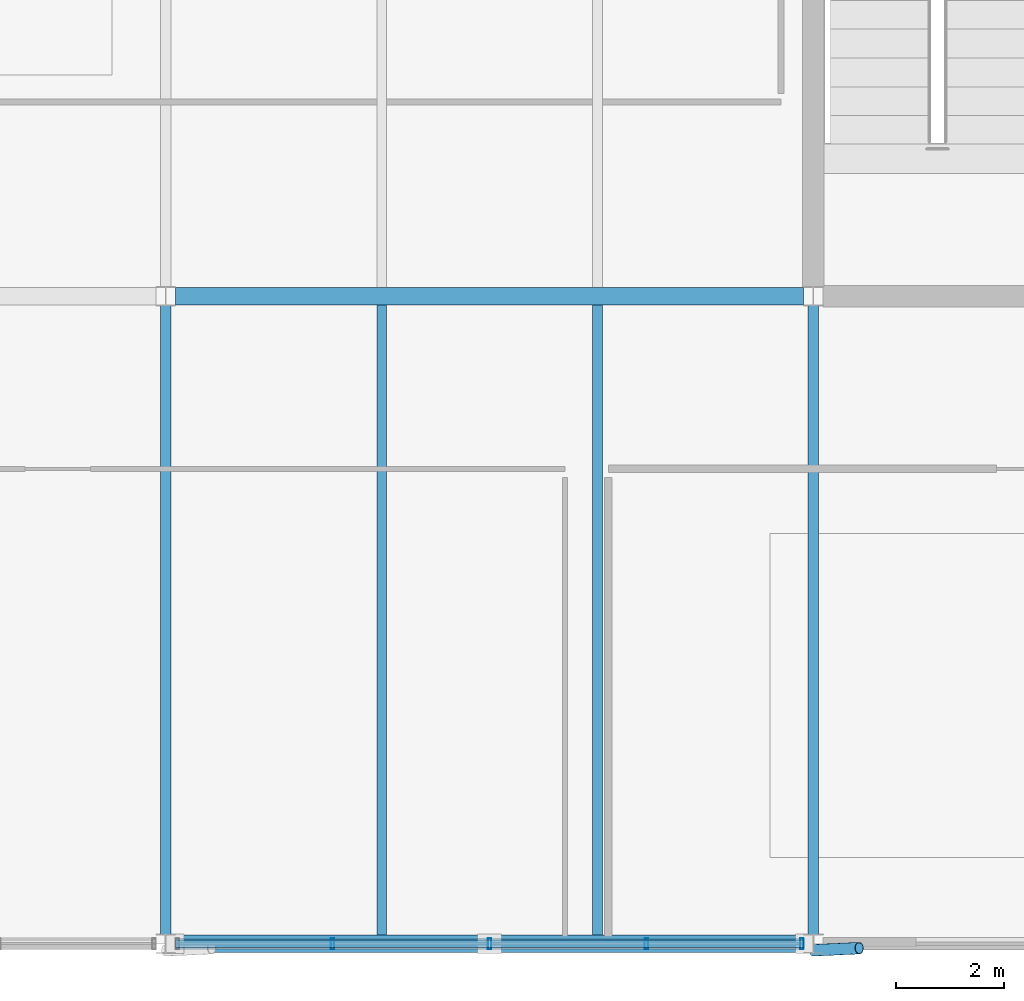
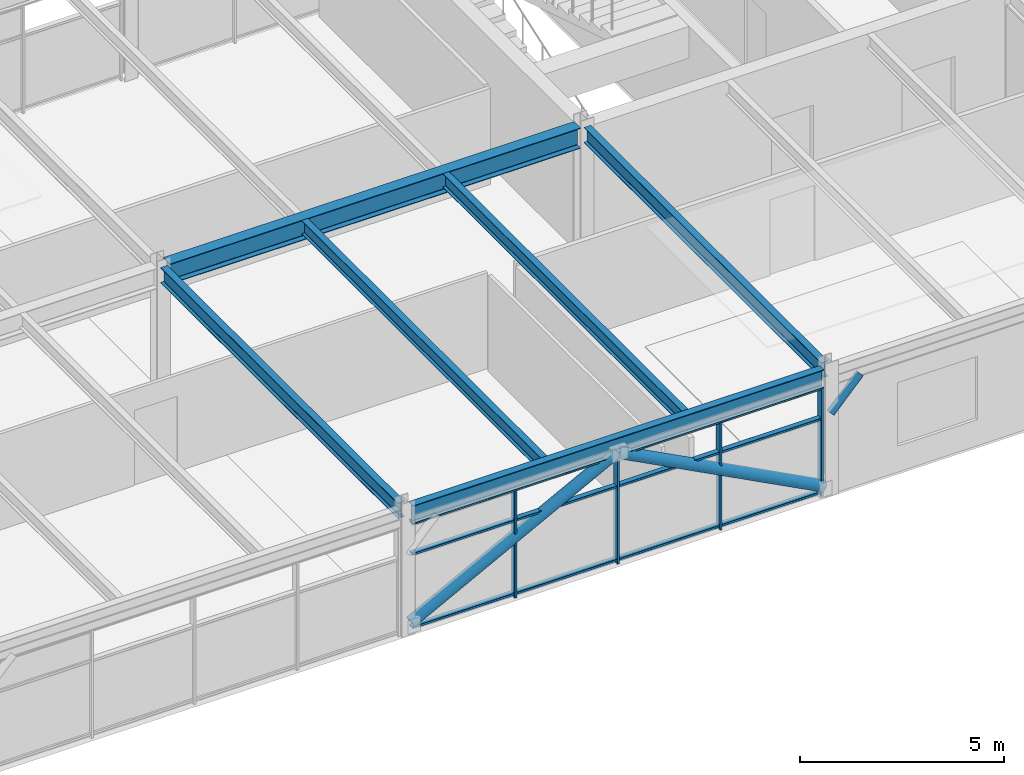
# One storey, part 13 of 23: 10 members, 6 beams, 1 element without a shape of its own.
"""IFC4 building model written with IfcOpenShell, lengths in metres."""

from ifc_helpers import new_model, si_unit, direction, frame, origin, origin_2d, place, context, subcontext, project, spatial, hollow_rectangle, hollow_circle, i_section, extrude, material, material_profile, profile_set, type_object, element, aggregate, save


model = new_model("IFC4")

# Units and contexts
model_context = context("Model", 3, precision=1e-05, world=origin(), true_north=direction((0.0, 1.0)))
body_context = subcontext(model_context, "Body", "Model", "MODEL_VIEW")
ifc_project = project(units=[si_unit("LENGTHUNIT", "METRE"), si_unit("AREAUNIT", "SQUARE_METRE"), si_unit("VOLUMEUNIT", "CUBIC_METRE"), si_unit("PLANEANGLEUNIT", "RADIAN"), si_unit("MASSUNIT", "GRAM", prefix="KILO")], contexts=[model_context])

# Site, building, storey
site_placement = place(None, origin())
site = spatial("IfcSite", under=ifc_project, at=site_placement, CompositionType="ELEMENT")
building_placement = place(site_placement, origin())
building = spatial("IfcBuilding", under=site, at=building_placement, Name="Girod Span Mobility Hub", CompositionType="ELEMENT")
storey_placement = place(building_placement, frame((0.0, 0.0, 65.60009765625)))
storey = spatial("IfcBuildingStorey", under=building, at=storey_placement, Name="L16", CompositionType="ELEMENT", Elevation=65.60009765625)

# Beams
ifc_material_1 = material(Name="Steel A992 Grade 50", Category="steel")
ifc_material_profile_1 = material_profile(ifc_material_1, i_section(OverallWidth=0.178955078125, OverallDepth=0.409912109375, WebThickness=0.0087890625, FlangeThickness=0.014404296875, FilletRadius=0.012939453125, at=origin_2d()), Name="W16X45")
ifc_profile_set_1 = profile_set([ifc_material_profile_1], Name="Steel A992 Grade 50")
beam_type_1 = type_object("IfcBeamType", Name="BM-STL-W16X45", PredefinedType="BEAM", material=ifc_profile_set_1)
for number, where, z_axis, x_axis, name in (
    (1, (100.0, 45.10302734375, 3.5849609375), (0.0, 1.0, 0.0), (-1.0, 0.0, 0.0), "Composite Floorbeam 9/D-1 L16"),
    (2, (104.0, 45.10302734375, 3.5849609375), (0.0, 1.0, 0.0), (-1.0, 0.0, 0.0), "Composite Floorbeam 9/D-2 L16"),
):
    element("IfcBeam", number, at=place(storey_placement, frame(where, z_axis=z_axis, x_axis=x_axis)), inside=storey, type_object=beam_type_1, Name=name, PredefinedType="BEAM", context=body_context, shape_type="SweptSolid", body=[
        extrude(i_section(OverallWidth=0.178955078125, OverallDepth=0.409912109375, WebThickness=0.0087890625, FlangeThickness=0.014404296875, FilletRadius=0.012939453125, at=origin_2d()), origin(), (0.0, 0.0, 1.0), 11.738037109375),
    ])
ifc_material_2 = material(Name="Steel A992 Grade 50", Category="steel")
ifc_material_profile_2 = material_profile(ifc_material_2, i_section(OverallWidth=0.19189453125, OverallDepth=0.462890625, WebThickness=0.010498046875, FlangeThickness=0.017578125, FilletRadius=0.013916015625, at=origin_2d()), Name="W18X60")
ifc_profile_set_2 = profile_set([ifc_material_profile_2], Name="Steel A992 Grade 50")
beam_type_2 = type_object("IfcBeamType", Name="BM-STL-W18X60", PredefinedType="BEAM", material=ifc_profile_set_2)
for number, where, z_axis, x_axis, name in (
    (3, (96.0, 45.175048828125, 3.558349609375), (0.0, 1.0, 0.0), (-1.0, 0.0, 0.0), "Tie Girder 9/D-E L16"),
    (4, (108.0, 45.175048828125, 3.558349609375), (0.0, 1.0, 0.0), (-1.0, 0.0, 0.0), "Tie Girder 10/D-E L16"),
):
    element("IfcBeam", number, at=place(storey_placement, frame(where, z_axis=z_axis, x_axis=x_axis)), inside=storey, type_object=beam_type_2, Name=name, PredefinedType="BEAM", context=body_context, shape_type="SweptSolid", body=[
        extrude(i_section(OverallWidth=0.19189453125, OverallDepth=0.462890625, WebThickness=0.010498046875, FlangeThickness=0.017578125, FilletRadius=0.013916015625, at=origin_2d()), origin(), (0.0, 0.0, 1.0), 11.64990234375),
    ])
ifc_material_3 = material(Name="Steel A992 Grade 50", Category="steel")
ifc_material_profile_3 = material_profile(ifc_material_3, i_section(OverallWidth=0.2119140625, OverallDepth=0.5439453125, WebThickness=0.01318359375, FlangeThickness=0.021240234375, FilletRadius=0.014892578125, at=origin_2d()), Name="W21X83")
ifc_profile_set_3 = profile_set([ifc_material_profile_3], Name="Steel A992 Grade 50")
beam_type_3 = type_object("IfcBeamType", Name="BM-STL-W21X83", PredefinedType="SPANDREL", material=ifc_profile_set_3)
beam_1_placement = place(storey_placement, frame((96.181396484375, 45.0, 3.517822265625), z_axis=(1.0, 0.0, 0.0), x_axis=(0.0, 1.0, 0.0)))
element("IfcBeam", 5, at=beam_1_placement, inside=storey, type_object=beam_type_3, Name="Girder 9-10/D L16", PredefinedType="SPANDREL", context=body_context, shape_type="SweptSolid", body=[
    extrude(i_section(OverallWidth=0.2119140625, OverallDepth=0.5439453125, WebThickness=0.01318359375, FlangeThickness=0.021240234375, FilletRadius=0.014892578125, at=origin_2d()), origin(), (0.0, 0.0, 1.0), 11.63720703125),
])
ifc_material_4 = material(Name="Steel A992 Grade 50", Category="steel")
ifc_material_profile_4 = material_profile(ifc_material_4, i_section(OverallWidth=0.323974609375, OverallDepth=0.611083984375, WebThickness=0.0126953125, FlangeThickness=0.01904296875, FilletRadius=0.014892578125, at=origin_2d()), Name="W24X104")
ifc_profile_set_4 = profile_set([ifc_material_profile_4], Name="Steel A992 Grade 50")
beam_type_4 = type_object("IfcBeamType", Name="BM-STL-W24X104", PredefinedType="BEAM", material=ifc_profile_set_4)
beam_2_placement = place(storey_placement, frame((96.181396484375, 57.0, 3.484375), z_axis=(1.0, 0.0, 0.0), x_axis=(0.0, 1.0, 0.0)))
element("IfcBeam", 6, at=beam_2_placement, inside=storey, type_object=beam_type_4, Name="Girder 9-10/E L16", PredefinedType="BEAM", context=body_context, shape_type="SweptSolid", body=[
    extrude(i_section(OverallWidth=0.323974609375, OverallDepth=0.611083984375, WebThickness=0.0126953125, FlangeThickness=0.01904296875, FilletRadius=0.014892578125, at=origin_2d()), origin(), (0.0, 0.0, 1.0), 11.63720703125),
])

# Curtain wall, members
ifc_material_5 = material(Name="Thermally Broken Anodised Aluminium", Category="aluminium")
curtain_wall_type = type_object("IfcCurtainWallType", Name="CW-1164X325", PredefinedType="USERDEFINED", material=ifc_material_5)
curtain_wall_placement = place(storey_placement, origin())
curtain_wall = element("IfcCurtainWall", 7, at=curtain_wall_placement, inside=storey, type_object=curtain_wall_type, Name="Unitised Curtain Wall CW-L16-S09 L16", ObjectType="UNITISED CURTAIN WALL", PredefinedType="USERDEFINED")
ifc_material_6 = material(Name="Thermally Broken Anodised Aluminium", Category="aluminium")
ifc_material_profile_5 = material_profile(ifc_material_6, hollow_rectangle(XDim=0.199951171875, YDim=0.06494140625, WallThickness=0.00390625, InnerFilletRadius=0.00390625, OuterFilletRadius=0.008056640625, at=origin_2d()), Name="CW-ML-65X200")
ifc_profile_set_5 = profile_set([ifc_material_profile_5], Name="Thermally Broken Anodised Aluminium")
member_type_1 = type_object("IfcMemberType", Name="CWM-ML-1", PredefinedType="MULLION", material=ifc_profile_set_5)
member_1_placement = place(storey_placement, frame((99.09130859375, 45.0, 0.0), z_axis=(0.0, 0.0, 1.0), x_axis=(0.0, 1.0, 0.0)))
member_1 = element("IfcMember", 8, at=member_1_placement, type_object=member_type_1, Name="Curtain Wall Mullion CW-L16-S09-M1", PredefinedType="MULLION", context=body_context, shape_type="SweptSolid", body=[
    extrude(hollow_rectangle(XDim=0.199951171875, YDim=0.06494140625, WallThickness=0.00390625, InnerFilletRadius=0.00390625, OuterFilletRadius=0.008056640625, at=origin_2d()), origin(), (0.0, 0.0, 1.0), 3.245849609375),
])
member_2_placement = place(storey_placement, frame((102.0, 45.0, 0.0), z_axis=(0.0, 0.0, 1.0), x_axis=(0.0, 1.0, 0.0)))
member_2 = element("IfcMember", 9, at=member_2_placement, type_object=member_type_1, Name="Curtain Wall Mullion CW-L16-S09-M2", PredefinedType="MULLION", context=body_context, shape_type="SweptSolid", body=[
    extrude(hollow_rectangle(XDim=0.199951171875, YDim=0.06494140625, WallThickness=0.00390625, InnerFilletRadius=0.00390625, OuterFilletRadius=0.008056640625, at=origin_2d()), origin(), (0.0, 0.0, 1.0), 3.245849609375),
])
member_3_placement = place(storey_placement, frame((104.90869140625, 45.0, 0.0), z_axis=(0.0, 0.0, 1.0), x_axis=(0.0, 1.0, 0.0)))
member_3 = element("IfcMember", 10, at=member_3_placement, type_object=member_type_1, Name="Curtain Wall Mullion CW-L16-S09-M3", PredefinedType="MULLION", context=body_context, shape_type="SweptSolid", body=[
    extrude(hollow_rectangle(XDim=0.199951171875, YDim=0.06494140625, WallThickness=0.00390625, InnerFilletRadius=0.00390625, OuterFilletRadius=0.008056640625, at=origin_2d()), origin(), (0.0, 0.0, 1.0), 3.245849609375),
])
member_4_placement = place(storey_placement, frame((107.785400390625, 45.0, 0.0), z_axis=(0.0, 0.0, 1.0), x_axis=(0.0, 1.0, 0.0)))
member_4 = element("IfcMember", 11, at=member_4_placement, type_object=member_type_1, Name="Curtain Wall Mullion CW-L16-S09-M4", PredefinedType="MULLION", context=body_context, shape_type="SweptSolid", body=[
    extrude(hollow_rectangle(XDim=0.199951171875, YDim=0.06494140625, WallThickness=0.00390625, InnerFilletRadius=0.00390625, OuterFilletRadius=0.008056640625, at=origin_2d()), origin(), (0.0, 0.0, 1.0), 3.245849609375),
])
ifc_material_7 = material(Name="Thermally Broken Anodised Aluminium", Category="aluminium")
ifc_material_profile_6 = material_profile(ifc_material_7, hollow_rectangle(XDim=0.14990234375, YDim=0.06494140625, WallThickness=0.00390625, InnerFilletRadius=0.00390625, OuterFilletRadius=0.008056640625, at=origin_2d()), Name="CW-TR-65X150")
ifc_profile_set_6 = profile_set([ifc_material_profile_6], Name="Thermally Broken Anodised Aluminium")
member_type_2 = type_object("IfcMemberType", Name="CWM-TR-1", PredefinedType="USERDEFINED", material=ifc_profile_set_6)
member_5_placement = place(storey_placement, frame((96.1826171875, 45.0, 0.107421875), z_axis=(1.0, 0.0, 0.0), x_axis=(0.0, 1.0, 0.0)))
member_5 = element("IfcMember", 12, at=member_5_placement, type_object=member_type_2, Name="Curtain Wall Transom CW-L16-S09-T1", ObjectType="TRANSOM", PredefinedType="USERDEFINED", context=body_context, shape_type="SweptSolid", body=[
    extrude(hollow_rectangle(XDim=0.14990234375, YDim=0.06494140625, WallThickness=0.00390625, InnerFilletRadius=0.00390625, OuterFilletRadius=0.008056640625, at=origin_2d()), origin(), (0.0, 0.0, 1.0), 11.634765625),
])
member_6_placement = place(storey_placement, frame((96.1826171875, 45.0, 2.304443359375), z_axis=(1.0, 0.0, 0.0), x_axis=(0.0, 1.0, 0.0)))
member_6 = element("IfcMember", 13, at=member_6_placement, type_object=member_type_2, Name="Curtain Wall Transom CW-L16-S09-T2", ObjectType="TRANSOM", PredefinedType="USERDEFINED", context=body_context, shape_type="SweptSolid", body=[
    extrude(hollow_rectangle(XDim=0.14990234375, YDim=0.06494140625, WallThickness=0.00390625, InnerFilletRadius=0.00390625, OuterFilletRadius=0.008056640625, at=origin_2d()), origin(), (0.0, 0.0, 1.0), 11.634765625),
])
member_7_placement = place(storey_placement, frame((96.1826171875, 45.0, 3.21337890625), z_axis=(1.0, 0.0, 0.0), x_axis=(0.0, 1.0, 0.0)))
member_7 = element("IfcMember", 14, at=member_7_placement, type_object=member_type_2, Name="Curtain Wall Transom CW-L16-S09-T3", ObjectType="TRANSOM", PredefinedType="USERDEFINED", context=body_context, shape_type="SweptSolid", body=[
    extrude(hollow_rectangle(XDim=0.14990234375, YDim=0.06494140625, WallThickness=0.00390625, InnerFilletRadius=0.00390625, OuterFilletRadius=0.008056640625, at=origin_2d()), origin(), (0.0, 0.0, 1.0), 11.634765625),
])
aggregate(curtain_wall, [member_1, member_2, member_3, member_4, member_5, member_6, member_7])

# Members
ifc_material_8 = material(Name="Steel HSS A500 Grade C", Category="steel")
ifc_material_profile_7 = material_profile(ifc_material_8, hollow_circle(Radius=0.162109375, WallThickness=0.01171875, at=origin_2d()), Name="HSS324X12.7")
ifc_profile_set_7 = profile_set([ifc_material_profile_7], Name="Steel HSS A500 Grade C")
member_type_3 = type_object("IfcMemberType", Name="MB-BR-HSS324", PredefinedType="BRACE", material=ifc_profile_set_7)
for number, where, z_axis, x_axis, name in (
    (15, (96.16455078125, 45.0, 0.25), (0.88587868375, 0.0, 0.463916972827), (0.0, 1.0, 0.0), "Upper Diagrid Brace 9/D-L L16"),
    (16, (107.83544921875, 45.0, 0.25), (-0.88587868375, 0.0, 0.463916972827), (0.0, -1.0, 0.0), "Upper Diagrid Brace 9/D-R L16"),
):
    element("IfcMember", number, at=place(storey_placement, frame(where, z_axis=z_axis, x_axis=x_axis)), inside=storey, type_object=member_type_3, Name=name, PredefinedType="BRACE", context=body_context, shape_type="SweptSolid", body=[
        extrude(hollow_circle(Radius=0.162109375, WallThickness=0.01171875, at=origin_2d()), origin(), (0.0, 0.0, 1.0), 6.587158203125),
    ])
ifc_material_9 = material(Name="Steel HSS A500 Grade C", Category="steel")
ifc_material_profile_8 = material_profile(ifc_material_9, hollow_circle(Radius=0.109619140625, WallThickness=0.0087890625, at=origin_2d()), Name="HSS219X9.5")
ifc_profile_set_8 = profile_set([ifc_material_profile_8], Name="Steel HSS A500 Grade C")
member_type_4 = type_object("IfcMemberType", Name="MB-ST-HSS219", PredefinedType="STRUT", material=ifc_profile_set_8)
member_8_placement = place(storey_placement, frame((108.0, 44.8798828125, 2.449951171875), z_axis=(0.702671876699, 0.03309540143, 0.710743925828), x_axis=(-0.047047213483, 0.998892666758, 0.0)))
element("IfcMember", 17, at=member_8_placement, inside=storey, type_object=member_type_4, Name="Solar Shading Knee Strut 10 L16", PredefinedType="STRUT", context=body_context, shape_type="SweptSolid", body=[
    extrude(hollow_circle(Radius=0.109619140625, WallThickness=0.0087890625, at=origin_2d()), origin(), (0.0, 0.0, 1.0), 1.209716796875),
])

save(model, "model.ifc")
